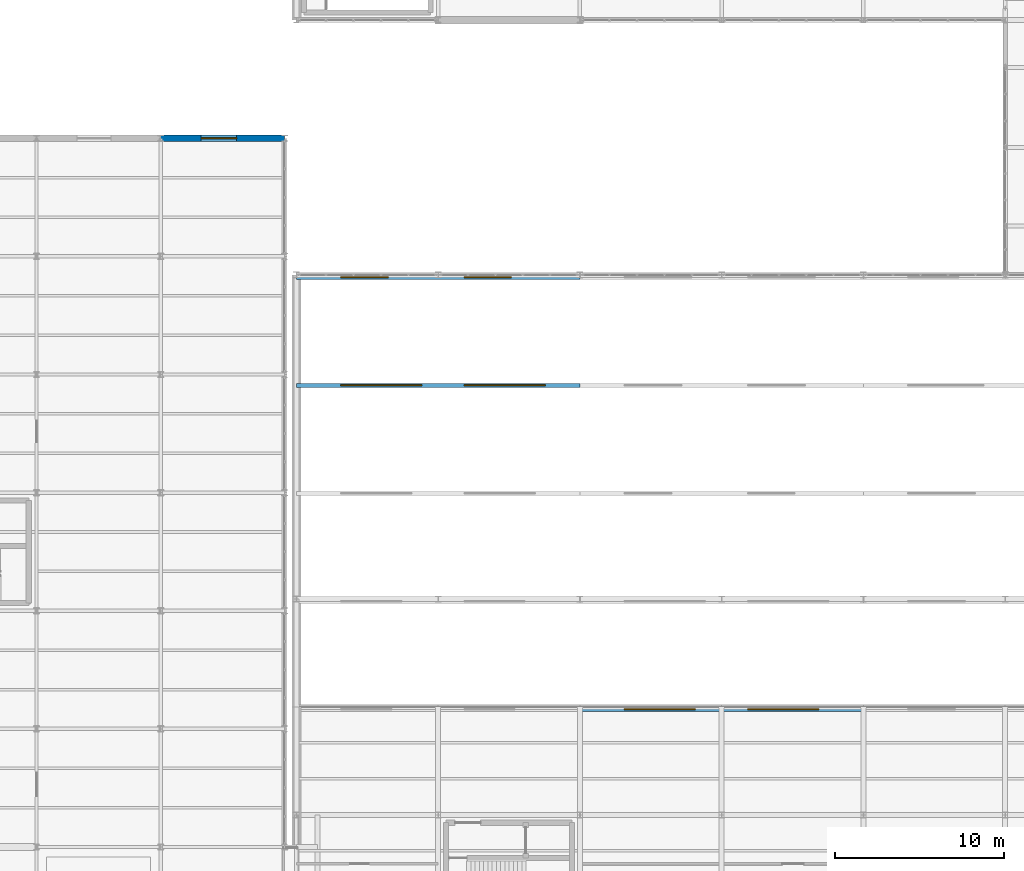
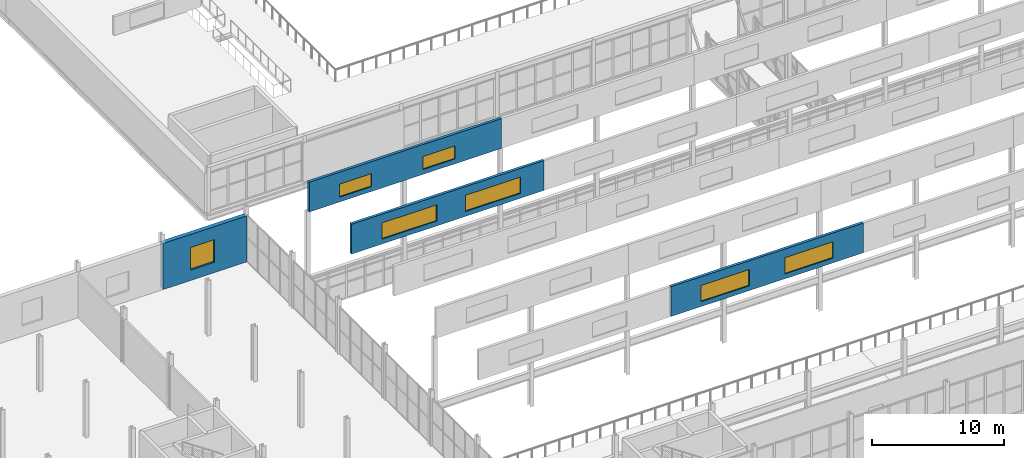
# One storey, part 199 of 218: 7 windows, 4 walls, 7 openings.
"""IFC4 building model written with IfcOpenShell, lengths in metres."""

from ifc_helpers import new_model, si_unit, direction, frame, frame_2d, origin, place, context, subcontext, project, spatial, rectangle, extrude, material, layer, layer_set, type_object, element, fill, save


model = new_model("IFC4")

# Units and contexts
model_context = context("Model", 3, precision=1e-05, world=origin(), true_north=direction((0.0, 1.0)))
body_context = subcontext(model_context, "Body", "Model", "MODEL_VIEW")
ifc_project = project(units=[si_unit("LENGTHUNIT", "METRE"), si_unit("AREAUNIT", "SQUARE_METRE"), si_unit("VOLUMEUNIT", "CUBIC_METRE"), si_unit("PLANEANGLEUNIT", "RADIAN"), si_unit("MASSUNIT", "GRAM", prefix="KILO")], contexts=[model_context])

# Site, building, storey
site_placement = place(None, origin())
site = spatial("IfcSite", under=ifc_project, at=site_placement, CompositionType="ELEMENT")
building_placement = place(site_placement, origin())
building = spatial("IfcBuilding", under=site, at=building_placement, Name="Kazenagashi Tramway Depot", CompositionType="ELEMENT")
storey_placement = place(building_placement, frame((0.0, 0.0, 6.0)))
storey = spatial("IfcBuildingStorey", under=building, at=storey_placement, Name="L02", CompositionType="ELEMENT", Elevation=6.0)

# Wall, opening, window
ifc_material_1 = material(Name="Clay Brick Masonry JIS R 1250 Class 1 (20 MPa)", Category="masonry")
ifc_layer_1 = layer(ifc_material_1, 0.36)
ifc_layer_set_1 = layer_set([ifc_layer_1], Name="Clay Brick Masonry JIS R 1250 Class 1 (20 MPa)")
wall_type_1 = type_object("IfcWallType", Name="W-BK2", PredefinedType="SOLIDWALL", material=ifc_layer_set_1)
wall_1_placement = place(storey_placement, frame((36.75, 63.0, 0.0), z_axis=(0.0, 0.0, 1.0), x_axis=(1.0, 0.0, 0.0)))
wall_1 = element("IfcWall", 1, at=wall_1_placement, inside=storey, type_object=wall_type_1, Name="Exterior Brick Wall W-BK2 EWALL-0198", PredefinedType="SOLIDWALL", context=body_context, shape_type="SweptSolid", body=[
    extrude(rectangle(XDim=7.35, YDim=0.36, at=frame_2d((3.675, 0.0))), origin(), (0.0, 0.0, 1.0), 4.25),
])
opening_1_placement = place(wall_1_placement, frame((2.4, 0.0, 0.95)))
opening_1 = element("IfcOpeningElement", 2, at=opening_1_placement, cuts=wall_1, Name="Opening WN-08", PredefinedType="OPENING", context=body_context, shape_type="SweptSolid", body=[
    extrude(rectangle(XDim=2.1, YDim=2.1, at=frame_2d((1.05, 1.05))), frame((0.0, 0.19, 0.0), z_axis=(0.0, -1.0, 0.0), x_axis=(1.0, 0.0, 0.0)), (0.0, 0.0, 1.0), 0.38),
])
ifc_material_2 = material(Name="Anodised Aluminium and Tempered Low-E Glass", Category="aluminium")
window_type_1 = type_object("IfcWindowType", Name="WN-08", PartitioningType="SINGLE_PANEL", PredefinedType="WINDOW", material=ifc_material_2)
window_1_placement = place(opening_1_placement, origin())
window_1 = element("IfcWindow", 3, at=window_1_placement, inside=storey, type_object=window_type_1, Name="Window WN-08 WIN-0181", OverallHeight=2.1, OverallWidth=2.1, PartitioningType="SINGLE_PANEL", PredefinedType="WINDOW", context=body_context, shape_type="SweptSolid", body=[
    extrude(rectangle(XDim=2.1, YDim=2.1, at=frame_2d((1.05, 1.05))), frame((0.0, 0.03, 0.0), z_axis=(0.0, -1.0, 0.0), x_axis=(1.0, 0.0, 0.0)), (0.0, 0.0, 1.0), 0.06),
])
fill(opening_1, window_1)

# Wall, openings, windows
ifc_material_3 = material(Name="Galvanised Steel Sheet Insulated Monitor Wall", Category="steel")
ifc_layer_2 = layer(ifc_material_3, 0.24)
ifc_layer_set_2 = layer_set([ifc_layer_2], Name="Galvanised Steel Sheet Insulated Monitor Wall")
wall_type_2 = type_object("IfcWallType", Name="W-MN1", PredefinedType="SOLIDWALL", material=ifc_layer_set_2)
wall_2_placement = place(storey_placement, frame((61.6, 29.16, 9.3), z_axis=(0.0, 0.0, 1.0), x_axis=(1.0, 0.0, 0.0)))
wall_2 = element("IfcWall", 4, at=wall_2_placement, inside=storey, type_object=wall_type_2, Name="Exterior Brick Wall W-MN1 EWALL-0126", PredefinedType="SOLIDWALL", context=body_context, shape_type="SweptSolid", body=[
    extrude(rectangle(XDim=16.8, YDim=0.24, at=frame_2d((8.4, 0.0))), origin(), (0.0, 0.0, 1.0), 2.75),
])
opening_2_placement = place(wall_2_placement, frame((2.64, 0.0, 0.45)))
opening_2 = element("IfcOpeningElement", 5, at=opening_2_placement, cuts=wall_2, Name="Opening SK-03", PredefinedType="OPENING", context=body_context, shape_type="SweptSolid", body=[
    extrude(rectangle(XDim=4.2, YDim=1.5, at=frame_2d((2.1, 0.75))), frame((0.0, 0.13, 0.0), z_axis=(0.0, -1.0, 0.0), x_axis=(1.0, 0.0, 0.0)), (0.0, 0.0, 1.0), 0.26),
])
opening_3_placement = place(wall_2_placement, frame((9.94, 0.0, 0.45)))
opening_3 = element("IfcOpeningElement", 6, at=opening_3_placement, cuts=wall_2, Name="Opening SK-03", PredefinedType="OPENING", context=body_context, shape_type="SweptSolid", body=[
    extrude(rectangle(XDim=4.2, YDim=1.5, at=frame_2d((2.1, 0.75))), frame((0.0, 0.13, 0.0), z_axis=(0.0, -1.0, 0.0), x_axis=(1.0, 0.0, 0.0)), (0.0, 0.0, 1.0), 0.26),
])
ifc_material_4 = material(Name="Wired Fire-Rated Glass and Aluminium Frame", Category="aluminium")
window_type_2 = type_object("IfcWindowType", Name="SK-03", PartitioningType="SINGLE_PANEL", PredefinedType="SKYLIGHT", material=ifc_material_4)
window_2_placement = place(opening_2_placement, origin())
window_2 = element("IfcWindow", 7, at=window_2_placement, inside=storey, type_object=window_type_2, Name="Window SK-03 WIN-0096", OverallHeight=1.5, OverallWidth=4.2, PartitioningType="SINGLE_PANEL", PredefinedType="SKYLIGHT", context=body_context, shape_type="SweptSolid", body=[
    extrude(rectangle(XDim=4.2, YDim=1.5, at=frame_2d((2.1, 0.75))), frame((0.0, 0.03, 0.0), z_axis=(0.0, -1.0, 0.0), x_axis=(1.0, 0.0, 0.0)), (0.0, 0.0, 1.0), 0.06),
])
fill(opening_2, window_2)
window_3_placement = place(opening_3_placement, origin())
window_3 = element("IfcWindow", 8, at=window_3_placement, inside=storey, type_object=window_type_2, Name="Window SK-03 WIN-0097", OverallHeight=1.5, OverallWidth=4.2, PartitioningType="SINGLE_PANEL", PredefinedType="SKYLIGHT", context=body_context, shape_type="SweptSolid", body=[
    extrude(rectangle(XDim=4.2, YDim=1.5, at=frame_2d((2.1, 0.75))), frame((0.0, 0.03, 0.0), z_axis=(0.0, -1.0, 0.0), x_axis=(1.0, 0.0, 0.0)), (0.0, 0.0, 1.0), 0.06),
])
fill(opening_3, window_3)

wall_3_placement = place(storey_placement, frame((44.8, 48.36, 9.3), z_axis=(0.0, 0.0, 1.0), x_axis=(1.0, 0.0, 0.0)))
wall_3 = element("IfcWall", 9, at=wall_3_placement, inside=storey, type_object=wall_type_2, Name="Exterior Brick Wall W-MN1 EWALL-0143", PredefinedType="SOLIDWALL", context=body_context, shape_type="SweptSolid", body=[
    extrude(rectangle(XDim=16.8, YDim=0.24, at=frame_2d((8.4, 0.0))), origin(), (0.0, 0.0, 1.0), 2.75),
])
opening_4_placement = place(wall_3_placement, frame((2.64, 0.0, 0.45)))
opening_4 = element("IfcOpeningElement", 10, at=opening_4_placement, cuts=wall_3, Name="Opening SK-04", PredefinedType="OPENING", context=body_context, shape_type="SweptSolid", body=[
    extrude(rectangle(XDim=4.8, YDim=1.5, at=frame_2d((2.4, 0.75))), frame((0.0, 0.13, 0.0), z_axis=(0.0, -1.0, 0.0), x_axis=(1.0, 0.0, 0.0)), (0.0, 0.0, 1.0), 0.26),
])
opening_5_placement = place(wall_3_placement, frame((9.94, 0.0, 0.45)))
opening_5 = element("IfcOpeningElement", 11, at=opening_5_placement, cuts=wall_3, Name="Opening SK-04", PredefinedType="OPENING", context=body_context, shape_type="SweptSolid", body=[
    extrude(rectangle(XDim=4.8, YDim=1.5, at=frame_2d((2.4, 0.75))), frame((0.0, 0.13, 0.0), z_axis=(0.0, -1.0, 0.0), x_axis=(1.0, 0.0, 0.0)), (0.0, 0.0, 1.0), 0.26),
])
window_type_3 = type_object("IfcWindowType", Name="SK-04", PartitioningType="SINGLE_PANEL", PredefinedType="SKYLIGHT", material=ifc_material_4)
window_4_placement = place(opening_4_placement, origin())
window_4 = element("IfcWindow", 12, at=window_4_placement, inside=storey, type_object=window_type_3, Name="Window SK-04 WIN-0130", OverallHeight=1.5, OverallWidth=4.8, PartitioningType="SINGLE_PANEL", PredefinedType="SKYLIGHT", context=body_context, shape_type="SweptSolid", body=[
    extrude(rectangle(XDim=4.8, YDim=1.5, at=frame_2d((2.4, 0.75))), frame((0.0, 0.03, 0.0), z_axis=(0.0, -1.0, 0.0), x_axis=(1.0, 0.0, 0.0)), (0.0, 0.0, 1.0), 0.06),
])
fill(opening_4, window_4)
window_5_placement = place(opening_5_placement, origin())
window_5 = element("IfcWindow", 13, at=window_5_placement, inside=storey, type_object=window_type_3, Name="Window SK-04 WIN-0131", OverallHeight=1.5, OverallWidth=4.8, PartitioningType="SINGLE_PANEL", PredefinedType="SKYLIGHT", context=body_context, shape_type="SweptSolid", body=[
    extrude(rectangle(XDim=4.8, YDim=1.5, at=frame_2d((2.4, 0.75))), frame((0.0, 0.03, 0.0), z_axis=(0.0, -1.0, 0.0), x_axis=(1.0, 0.0, 0.0)), (0.0, 0.0, 1.0), 0.06),
])
fill(opening_5, window_5)

wall_4_placement = place(storey_placement, frame((44.8, 54.76, 9.3), z_axis=(0.0, 0.0, 1.0), x_axis=(1.0, 0.0, 0.0)))
wall_4 = element("IfcWall", 14, at=wall_4_placement, inside=storey, type_object=wall_type_2, Name="Exterior Brick Wall W-MN1 EWALL-0149", PredefinedType="SOLIDWALL", context=body_context, shape_type="SweptSolid", body=[
    extrude(rectangle(XDim=16.8, YDim=0.24, at=frame_2d((8.4, 0.0))), origin(), (0.0, 0.0, 1.0), 2.75),
])
opening_6_placement = place(wall_4_placement, frame((2.64, 0.0, 0.45)))
opening_6 = element("IfcOpeningElement", 15, at=opening_6_placement, cuts=wall_4, Name="Opening SK-05", PredefinedType="OPENING", context=body_context, shape_type="SweptSolid", body=[
    extrude(rectangle(XDim=2.8, YDim=1.2, at=frame_2d((1.4, 0.6))), frame((0.0, 0.13, 0.0), z_axis=(0.0, -1.0, 0.0), x_axis=(1.0, 0.0, 0.0)), (0.0, 0.0, 1.0), 0.26),
])
opening_7_placement = place(wall_4_placement, frame((9.94, 0.0, 0.45)))
opening_7 = element("IfcOpeningElement", 16, at=opening_7_placement, cuts=wall_4, Name="Opening SK-05", PredefinedType="OPENING", context=body_context, shape_type="SweptSolid", body=[
    extrude(rectangle(XDim=2.8, YDim=1.2, at=frame_2d((1.4, 0.6))), frame((0.0, 0.13, 0.0), z_axis=(0.0, -1.0, 0.0), x_axis=(1.0, 0.0, 0.0)), (0.0, 0.0, 1.0), 0.26),
])
window_type_4 = type_object("IfcWindowType", Name="SK-05", PartitioningType="SINGLE_PANEL", PredefinedType="SKYLIGHT", material=ifc_material_4)
window_6_placement = place(opening_6_placement, origin())
window_6 = element("IfcWindow", 17, at=window_6_placement, inside=storey, type_object=window_type_4, Name="Window SK-05 WIN-0142", OverallHeight=1.2, OverallWidth=2.8, PartitioningType="SINGLE_PANEL", PredefinedType="SKYLIGHT", context=body_context, shape_type="SweptSolid", body=[
    extrude(rectangle(XDim=2.8, YDim=1.2, at=frame_2d((1.4, 0.6))), frame((0.0, 0.03, 0.0), z_axis=(0.0, -1.0, 0.0), x_axis=(1.0, 0.0, 0.0)), (0.0, 0.0, 1.0), 0.06),
])
fill(opening_6, window_6)
window_7_placement = place(opening_7_placement, origin())
window_7 = element("IfcWindow", 18, at=window_7_placement, inside=storey, type_object=window_type_4, Name="Window SK-05 WIN-0143", OverallHeight=1.2, OverallWidth=2.8, PartitioningType="SINGLE_PANEL", PredefinedType="SKYLIGHT", context=body_context, shape_type="SweptSolid", body=[
    extrude(rectangle(XDim=2.8, YDim=1.2, at=frame_2d((1.4, 0.6))), frame((0.0, 0.03, 0.0), z_axis=(0.0, -1.0, 0.0), x_axis=(1.0, 0.0, 0.0)), (0.0, 0.0, 1.0), 0.06),
])
fill(opening_7, window_7)

save(model, "model.ifc")
